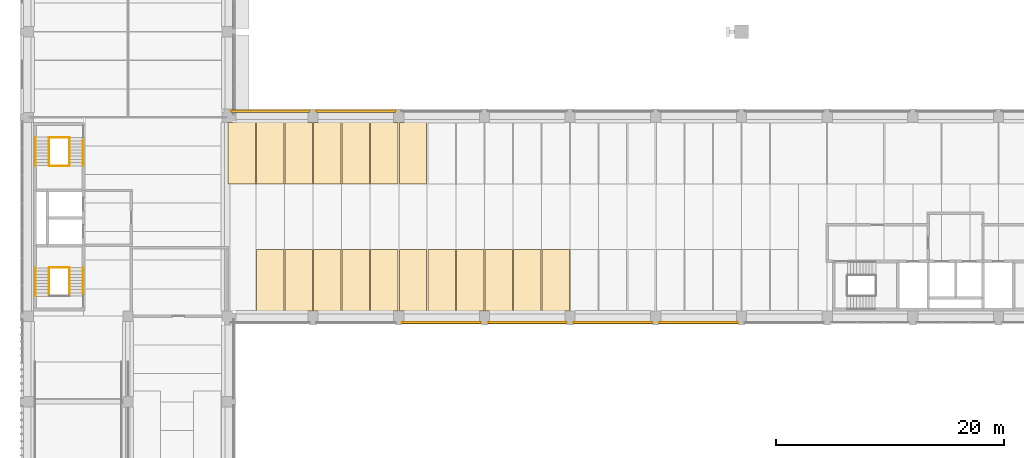
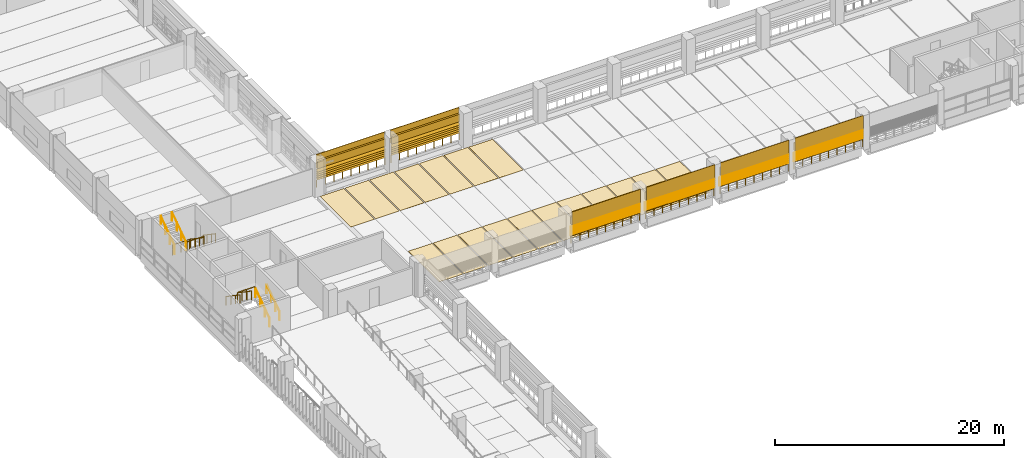
# One storey, part 40 of 57: 30 shading devices, 24 coverings, 17 railings.
"""IFC4 building model written with IfcOpenShell, lengths in metres."""

from ifc_helpers import new_model, si_unit, direction, frame, origin, origin_2d, place, context, subcontext, project, spatial, polyline, circle, outline, extrude, material, layer, layer_set, type_object, element, save


model = new_model("IFC4")

# Units and contexts
model_context = context("Model", 3, precision=1e-05, world=origin(), true_north=direction((0.0, 1.0)))
body_context = subcontext(model_context, "Body", "Model", "MODEL_VIEW")
ifc_project = project(units=[si_unit("LENGTHUNIT", "METRE"), si_unit("AREAUNIT", "SQUARE_METRE"), si_unit("VOLUMEUNIT", "CUBIC_METRE"), si_unit("PLANEANGLEUNIT", "RADIAN"), si_unit("MASSUNIT", "GRAM", prefix="KILO")], contexts=[model_context])

# Site, building, storey
site_placement = place(None, origin())
site = spatial("IfcSite", under=ifc_project, at=site_placement, CompositionType="ELEMENT")
building_placement = place(site_placement, origin())
building = spatial("IfcBuilding", under=site, at=building_placement, Name="Cour d'Honneur Mobility Palace", CompositionType="ELEMENT")
storey_placement = place(building_placement, frame((0.0, 0.0, 8.199951171875)))
storey = spatial("IfcBuildingStorey", under=building, at=storey_placement, Name="L02", CompositionType="ELEMENT", Elevation=8.199951171875)

# Railings
ifc_material_1 = material(Name="Painted steel", Category="steel")
railing_type_1 = type_object("IfcRailingType", Name="Balustrade", PredefinedType="BALUSTRADE", material=ifc_material_1)
for number, where, name in (
    (1, (32.699951171875, 44.449951171875, 0.300048828125), "Balustrade BAL-76"),
    (2, (40.199951171875, 44.449951171875, 0.300048828125), "Balustrade BAL-77"),
    (3, (47.699951171875, 44.449951171875, 0.300048828125), "Balustrade BAL-78"),
    (4, (55.199951171875, 44.449951171875, 0.300048828125), "Balustrade BAL-79"),
):
    element("IfcRailing", number, at=place(storey_placement, frame(where)), inside=storey, type_object=railing_type_1, Name=name, PredefinedType="BALUSTRADE", context=body_context, shape_type="SweptSolid", body=[
        extrude(circle(Radius=0.02392578125, at=origin_2d()), frame((0.0, 0.0, 0.77587890625), z_axis=(1.0, 0.0, 0.0), x_axis=(0.0, 1.0, 0.0)), (0.0, 0.0, 1.0), 6.900146484375),
        extrude(circle(Radius=0.02099609375, at=origin_2d()), origin(), (0.0, 0.0, 1.0), 0.751953125),
        extrude(circle(Radius=0.02099609375, at=origin_2d()), frame((0.862548828125, 0.0, 0.0)), (0.0, 0.0, 1.0), 0.751953125),
        extrude(circle(Radius=0.02099609375, at=origin_2d()), frame((1.72509765625, 0.0, 0.0)), (0.0, 0.0, 1.0), 0.751953125),
        extrude(circle(Radius=0.02099609375, at=origin_2d()), frame((2.587646484375, 0.0, 0.0)), (0.0, 0.0, 1.0), 0.751953125),
        extrude(circle(Radius=0.02099609375, at=origin_2d()), frame((3.4501953125, 0.0, 0.0)), (0.0, 0.0, 1.0), 0.751953125),
        extrude(circle(Radius=0.02099609375, at=origin_2d()), frame((4.3125, 0.0, 0.0)), (0.0, 0.0, 1.0), 0.751953125),
        extrude(circle(Radius=0.02099609375, at=origin_2d()), frame((5.175048828125, 0.0, 0.0)), (0.0, 0.0, 1.0), 0.751953125),
        extrude(circle(Radius=0.02099609375, at=origin_2d()), frame((6.03759765625, 0.0, 0.0)), (0.0, 0.0, 1.0), 0.751953125),
        extrude(circle(Radius=0.02099609375, at=origin_2d()), frame((6.900146484375, 0.0, 0.0)), (0.0, 0.0, 1.0), 0.751953125),
    ])
for number, where, name in (
    (5, (32.10009765625, 62.949951171875, 0.300048828125), "Balustrade BAL-120"),
    (6, (24.60009765625, 62.949951171875, 0.300048828125), "Balustrade BAL-121"),
):
    element("IfcRailing", number, at=place(storey_placement, frame(where)), inside=storey, type_object=railing_type_1, Name=name, PredefinedType="BALUSTRADE", context=body_context, shape_type="SweptSolid", body=[
        extrude(circle(Radius=0.02392578125, at=origin_2d()), frame((0.0, 0.0, 0.77587890625), z_axis=(-1.0, 0.0, 0.0), x_axis=(0.0, -1.0, 0.0)), (0.0, 0.0, 1.0), 6.900146484375),
        extrude(circle(Radius=0.02099609375, at=origin_2d()), origin(), (0.0, 0.0, 1.0), 0.751953125),
        extrude(circle(Radius=0.02099609375, at=origin_2d()), frame((-0.862548828125, 0.0, 0.0)), (0.0, 0.0, 1.0), 0.751953125),
        extrude(circle(Radius=0.02099609375, at=origin_2d()), frame((-1.72509765625, 0.0, 0.0)), (0.0, 0.0, 1.0), 0.751953125),
        extrude(circle(Radius=0.02099609375, at=origin_2d()), frame((-2.587646484375, 0.0, 0.0)), (0.0, 0.0, 1.0), 0.751953125),
        extrude(circle(Radius=0.02099609375, at=origin_2d()), frame((-3.4501953125, 0.0, 0.0)), (0.0, 0.0, 1.0), 0.751953125),
        extrude(circle(Radius=0.02099609375, at=origin_2d()), frame((-4.3125, 0.0, 0.0)), (0.0, 0.0, 1.0), 0.751953125),
        extrude(circle(Radius=0.02099609375, at=origin_2d()), frame((-5.175048828125, 0.0, 0.0)), (0.0, 0.0, 1.0), 0.751953125),
        extrude(circle(Radius=0.02099609375, at=origin_2d()), frame((-6.03759765625, 0.0, 0.0)), (0.0, 0.0, 1.0), 0.751953125),
        extrude(circle(Radius=0.02099609375, at=origin_2d()), frame((-6.900146484375, 0.0, 0.0)), (0.0, 0.0, 1.0), 0.751953125),
    ])
ifc_material_2 = material(Name="Painted steel", Category="steel")
railing_type_2 = type_object("IfcRailingType", Name="Guardrail 1100", PredefinedType="GUARDRAIL", material=ifc_material_2)
for number, where, name in (
    (7, (1.824951171875, 49.264892578125, 1.85009765625), "Landing guard ST-CW1"),
    (8, (1.824951171875, 60.64501953125, 0.0), "Guard ST-CW2"),
    (9, (1.824951171875, 58.135009765625, 1.85009765625), "Landing guard ST-CW2"),
):
    element("IfcRailing", number, at=place(storey_placement, frame(where)), inside=storey, type_object=railing_type_2, Name=name, PredefinedType="GUARDRAIL", context=body_context, shape_type="SweptSolid", body=[
        extrude(circle(Radius=0.02490234375, at=origin_2d()), frame((0.0, 0.0, 1.0751953125), z_axis=(1.0, 0.0, 0.0), x_axis=(0.0, 1.0, 0.0)), (0.0, 0.0, 1.0), 1.72509765625),
        extrude(circle(Radius=0.02099609375, at=origin_2d()), origin(), (0.0, 0.0, 1.0), 1.050048828125),
        extrude(circle(Radius=0.02099609375, at=origin_2d()), frame((0.862548828125, 0.0, 0.0)), (0.0, 0.0, 1.0), 1.050048828125),
        extrude(circle(Radius=0.02099609375, at=origin_2d()), frame((1.72509765625, 0.0, 0.0)), (0.0, 0.0, 1.0), 1.050048828125),
    ])
ifc_material_3 = material(Name="Stainless steel", Category="steel")
railing_type_3 = type_object("IfcRailingType", Name="Handrail round 50", PredefinedType="HANDRAIL", material=ifc_material_3)
railing_1_placement = place(storey_placement, frame((4.75, 47.0, 0.33935546875)))
element("IfcRailing", 10, at=railing_1_placement, inside=storey, type_object=railing_type_3, Name="Handrail ST-CW1", PredefinedType="HANDRAIL", context=body_context, shape_type="SweptSolid", body=[
    extrude(circle(Radius=0.02490234375, at=origin_2d()), frame((0.0, 0.0, 0.89501953125), z_axis=(0.0, 0.824957609129, 0.565194606432), x_axis=(-1.0, 0.0, 0.0)), (0.0, 0.0, 1.0), 2.6728515625),
    extrude(circle(Radius=0.02099609375, at=origin_2d()), origin(), (0.0, 0.0, 1.0), 0.869873046875),
    extrude(circle(Radius=0.02099609375, at=origin_2d()), frame((0.0, 0.735107421875, 0.503662109375)), (0.0, 0.0, 1.0), 0.869873046875),
    extrude(circle(Radius=0.02099609375, at=origin_2d()), frame((0.0, 1.469970703125, 1.007080078125)), (0.0, 0.0, 1.0), 0.869873046875),
    extrude(circle(Radius=0.02099609375, at=origin_2d()), frame((0.0, 2.205078125, 1.5107421875)), (0.0, 0.0, 1.0), 0.869873046875),
])
railing_2_placement = place(storey_placement, frame((3.60009765625, 46.77490234375, 0.18505859375)))
element("IfcRailing", 11, at=railing_2_placement, inside=storey, type_object=railing_type_3, Name="Handrail ST-CW1", PredefinedType="HANDRAIL", context=body_context, shape_type="SweptSolid", body=[
    extrude(circle(Radius=0.02490234375, at=origin_2d()), frame((0.0, 0.0, 0.89501953125), z_axis=(0.0, 0.824945253146, 0.565212640793), x_axis=(-1.0, 0.0, 0.0)), (0.0, 0.0, 1.0), 2.94580078125),
    extrude(circle(Radius=0.02099609375, at=origin_2d()), origin(), (0.0, 0.0, 1.0), 0.869873046875),
    extrude(circle(Radius=0.02099609375, at=origin_2d()), frame((0.0, 0.81005859375, 0.554931640625)), (0.0, 0.0, 1.0), 0.869873046875),
    extrude(circle(Radius=0.02099609375, at=origin_2d()), frame((0.0, 1.6201171875, 1.110107421875)), (0.0, 0.0, 1.0), 0.869873046875),
    extrude(circle(Radius=0.02099609375, at=origin_2d()), frame((0.0, 2.43017578125, 1.6650390625)), (0.0, 0.0, 1.0), 0.869873046875),
])
for number, where, name in (
    (12, (1.77490234375, 49.205078125, 2.03515625), "Handrail ST-CW1"),
    (13, (0.625, 49.205078125, 2.03515625), "Handrail ST-CW1"),
):
    element("IfcRailing", number, at=place(storey_placement, frame(where)), inside=storey, type_object=railing_type_3, Name=name, PredefinedType="HANDRAIL", context=body_context, shape_type="SweptSolid", body=[
        extrude(circle(Radius=0.02490234375, at=origin_2d()), frame((0.0, 0.0, 0.89501953125), z_axis=(0.0, -0.824983895463, 0.565156237006), x_axis=(1.0, 0.0, 0.0)), (0.0, 0.0, 1.0), 2.94580078125),
        extrude(circle(Radius=0.02099609375, at=origin_2d()), origin(), (0.0, 0.0, 1.0), 0.869873046875),
        extrude(circle(Radius=0.02099609375, at=origin_2d()), frame((0.0, -0.81005859375, 0.554931640625)), (0.0, 0.0, 1.0), 0.869873046875),
        extrude(circle(Radius=0.02099609375, at=origin_2d()), frame((0.0, -1.6201171875, 1.10986328125)), (0.0, 0.0, 1.0), 0.869873046875),
        extrude(circle(Radius=0.02099609375, at=origin_2d()), frame((0.0, -2.43017578125, 1.664794921875)), (0.0, 0.0, 1.0), 0.869873046875),
    ])
railing_3_placement = place(storey_placement, frame((4.75, 60.39990234375, 0.33935546875)))
element("IfcRailing", 14, at=railing_3_placement, inside=storey, type_object=railing_type_3, Name="Handrail ST-CW2", PredefinedType="HANDRAIL", context=body_context, shape_type="SweptSolid", body=[
    extrude(circle(Radius=0.02490234375, at=origin_2d()), frame((0.0, 0.0, 0.89501953125), z_axis=(0.0, -0.824928428624, 0.565237195917), x_axis=(1.0, 0.0, 0.0)), (0.0, 0.0, 1.0), 2.6728515625),
    extrude(circle(Radius=0.02099609375, at=origin_2d()), origin(), (0.0, 0.0, 1.0), 0.869873046875),
    extrude(circle(Radius=0.02099609375, at=origin_2d()), frame((0.0, -0.73486328125, 0.503662109375)), (0.0, 0.0, 1.0), 0.869873046875),
    extrude(circle(Radius=0.02099609375, at=origin_2d()), frame((0.0, -1.469970703125, 1.007080078125)), (0.0, 0.0, 1.0), 0.869873046875),
    extrude(circle(Radius=0.02099609375, at=origin_2d()), frame((0.0, -2.204833984375, 1.5107421875)), (0.0, 0.0, 1.0), 0.869873046875),
])
railing_4_placement = place(storey_placement, frame((3.60009765625, 60.625, 0.18505859375)))
element("IfcRailing", 15, at=railing_4_placement, inside=storey, type_object=railing_type_3, Name="Handrail ST-CW2", PredefinedType="HANDRAIL", context=body_context, shape_type="SweptSolid", body=[
    extrude(circle(Radius=0.02490234375, at=origin_2d()), frame((0.0, 0.0, 0.89501953125), z_axis=(0.0, -0.8249187745, 0.56525128525), x_axis=(1.0, 0.0, 0.0)), (0.0, 0.0, 1.0), 2.945556640625),
    extrude(circle(Radius=0.02099609375, at=origin_2d()), origin(), (0.0, 0.0, 1.0), 0.869873046875),
    extrude(circle(Radius=0.02099609375, at=origin_2d()), frame((0.0, -0.81005859375, 0.554931640625)), (0.0, 0.0, 1.0), 0.869873046875),
    extrude(circle(Radius=0.02099609375, at=origin_2d()), frame((0.0, -1.619873046875, 1.110107421875)), (0.0, 0.0, 1.0), 0.869873046875),
    extrude(circle(Radius=0.02099609375, at=origin_2d()), frame((0.0, -2.429931640625, 1.6650390625)), (0.0, 0.0, 1.0), 0.869873046875),
])
for number, where, name in (
    (16, (1.77490234375, 58.195068359375, 2.03515625), "Handrail ST-CW2"),
    (17, (0.625, 58.195068359375, 2.03515625), "Handrail ST-CW2"),
):
    element("IfcRailing", number, at=place(storey_placement, frame(where)), inside=storey, type_object=railing_type_3, Name=name, PredefinedType="HANDRAIL", context=body_context, shape_type="SweptSolid", body=[
        extrude(circle(Radius=0.02490234375, at=origin_2d()), frame((0.0, 0.0, 0.89501953125), z_axis=(0.0, 0.824957420862, 0.565194881227), x_axis=(-1.0, 0.0, 0.0)), (0.0, 0.0, 1.0), 2.945556640625),
        extrude(circle(Radius=0.02099609375, at=origin_2d()), origin(), (0.0, 0.0, 1.0), 0.869873046875),
        extrude(circle(Radius=0.02099609375, at=origin_2d()), frame((0.0, 0.81005859375, 0.554931640625)), (0.0, 0.0, 1.0), 0.869873046875),
        extrude(circle(Radius=0.02099609375, at=origin_2d()), frame((0.0, 1.619873046875, 1.10986328125)), (0.0, 0.0, 1.0), 0.869873046875),
        extrude(circle(Radius=0.02099609375, at=origin_2d()), frame((0.0, 2.429931640625, 1.664794921875)), (0.0, 0.0, 1.0), 0.869873046875),
    ])

# Coverings
ifc_material_4 = material(Name="Parking marking paint")
ifc_layer_1 = layer(ifc_material_4, 0.0048828125)
ifc_layer_set_1 = layer_set([ifc_layer_1], Name="Parking marking paint")
covering_type_1 = type_object("IfcCoveringType", Name="Parking bay marking", PredefinedType="FLOORING", material=ifc_layer_set_1)
covering_1_placement = place(storey_placement, origin())
element("IfcCovering", 18, at=covering_1_placement, inside=storey, type_object=covering_type_1, Name="Parking bay marking L02 1", PredefinedType="FLOORING", context=body_context, shape_type="SweptSolid", body=[
    extrude(outline(polyline([(19.85009765625, 56.550048828125), (17.449951171875, 56.550048828125), (17.449951171875, 61.949951171875), (19.85009765625, 61.949951171875), (19.85009765625, 56.550048828125)])), origin(), (0.0, 0.0, 1.0), 0.005126953125),
])
covering_2_placement = place(storey_placement, origin())
element("IfcCovering", 19, at=covering_2_placement, inside=storey, type_object=covering_type_1, Name="Parking bay marking L02 12", PredefinedType="FLOORING", context=body_context, shape_type="SweptSolid", body=[
    extrude(outline(polyline([(22.35009765625, 56.550048828125), (19.949951171875, 56.550048828125), (19.949951171875, 61.949951171875), (22.35009765625, 61.949951171875), (22.35009765625, 56.550048828125)])), origin(), (0.0, 0.0, 1.0), 0.005126953125),
])
covering_3_placement = place(storey_placement, origin())
element("IfcCovering", 20, at=covering_3_placement, inside=storey, type_object=covering_type_1, Name="Parking bay marking L02 13", PredefinedType="FLOORING", context=body_context, shape_type="SweptSolid", body=[
    extrude(outline(polyline([(24.85009765625, 56.550048828125), (22.449951171875, 56.550048828125), (22.449951171875, 61.949951171875), (24.85009765625, 61.949951171875), (24.85009765625, 56.550048828125)])), origin(), (0.0, 0.0, 1.0), 0.005126953125),
])
covering_4_placement = place(storey_placement, origin())
element("IfcCovering", 21, at=covering_4_placement, inside=storey, type_object=covering_type_1, Name="Parking bay marking L02 22", PredefinedType="FLOORING", context=body_context, shape_type="SweptSolid", body=[
    extrude(outline(polyline([(27.35009765625, 56.550048828125), (24.949951171875, 56.550048828125), (24.949951171875, 61.949951171875), (27.35009765625, 61.949951171875), (27.35009765625, 56.550048828125)])), origin(), (0.0, 0.0, 1.0), 0.005126953125),
])
covering_5_placement = place(storey_placement, origin())
element("IfcCovering", 22, at=covering_5_placement, inside=storey, type_object=covering_type_1, Name="Parking bay marking L02 33", PredefinedType="FLOORING", context=body_context, shape_type="SweptSolid", body=[
    extrude(outline(polyline([(29.85009765625, 56.550048828125), (27.449951171875, 56.550048828125), (27.449951171875, 61.949951171875), (29.85009765625, 61.949951171875), (29.85009765625, 56.550048828125)])), origin(), (0.0, 0.0, 1.0), 0.005126953125),
])
covering_6_placement = place(storey_placement, origin())
element("IfcCovering", 23, at=covering_6_placement, inside=storey, type_object=covering_type_1, Name="Parking bay marking L02 36", PredefinedType="FLOORING", context=body_context, shape_type="SweptSolid", body=[
    extrude(outline(polyline([(32.35009765625, 56.550048828125), (29.949951171875, 56.550048828125), (29.949951171875, 61.949951171875), (32.35009765625, 61.949951171875), (32.35009765625, 56.550048828125)])), origin(), (0.0, 0.0, 1.0), 0.005126953125),
])
covering_7_placement = place(storey_placement, origin())
element("IfcCovering", 24, at=covering_7_placement, inside=storey, type_object=covering_type_1, Name="Parking bay marking L02 37", PredefinedType="FLOORING", context=body_context, shape_type="SweptSolid", body=[
    extrude(outline(polyline([(34.85009765625, 56.550048828125), (32.449951171875, 56.550048828125), (32.449951171875, 61.949951171875), (34.85009765625, 61.949951171875), (34.85009765625, 56.550048828125)])), origin(), (0.0, 0.0, 1.0), 0.005126953125),
])
covering_8_placement = place(storey_placement, origin())
element("IfcCovering", 25, at=covering_8_placement, inside=storey, type_object=covering_type_1, Name="Parking bay marking L02 40", PredefinedType="FLOORING", context=body_context, shape_type="SweptSolid", body=[
    extrude(outline(polyline([(42.35009765625, 45.449951171875), (39.949951171875, 45.449951171875), (39.949951171875, 50.85009765625), (42.35009765625, 50.85009765625), (42.35009765625, 45.449951171875)])), origin(), (0.0, 0.0, 1.0), 0.005126953125),
])
covering_9_placement = place(storey_placement, origin())
element("IfcCovering", 26, at=covering_9_placement, inside=storey, type_object=covering_type_1, Name="Parking bay marking L02 41", PredefinedType="FLOORING", context=body_context, shape_type="SweptSolid", body=[
    extrude(outline(polyline([(44.85009765625, 45.449951171875), (42.449951171875, 45.449951171875), (42.449951171875, 50.85009765625), (44.85009765625, 50.85009765625), (44.85009765625, 45.449951171875)])), origin(), (0.0, 0.0, 1.0), 0.005126953125),
])
covering_10_placement = place(storey_placement, origin())
element("IfcCovering", 27, at=covering_10_placement, inside=storey, type_object=covering_type_1, Name="Parking bay marking L02 42", PredefinedType="FLOORING", context=body_context, shape_type="SweptSolid", body=[
    extrude(outline(polyline([(47.35009765625, 45.449951171875), (44.949951171875, 45.449951171875), (44.949951171875, 50.85009765625), (47.35009765625, 50.85009765625), (47.35009765625, 45.449951171875)])), origin(), (0.0, 0.0, 1.0), 0.005126953125),
])
covering_11_placement = place(storey_placement, origin())
element("IfcCovering", 28, at=covering_11_placement, inside=storey, type_object=covering_type_1, Name="Parking bay marking L02 50", PredefinedType="FLOORING", context=body_context, shape_type="SweptSolid", body=[
    extrude(outline(polyline([(22.35009765625, 45.449951171875), (19.949951171875, 45.449951171875), (19.949951171875, 50.85009765625), (22.35009765625, 50.85009765625), (22.35009765625, 45.449951171875)])), origin(), (0.0, 0.0, 1.0), 0.005126953125),
])
covering_12_placement = place(storey_placement, origin())
element("IfcCovering", 29, at=covering_12_placement, inside=storey, type_object=covering_type_1, Name="Parking bay marking L02 52", PredefinedType="FLOORING", context=body_context, shape_type="SweptSolid", body=[
    extrude(outline(polyline([(24.85009765625, 45.449951171875), (22.449951171875, 45.449951171875), (22.449951171875, 50.85009765625), (24.85009765625, 50.85009765625), (24.85009765625, 45.449951171875)])), origin(), (0.0, 0.0, 1.0), 0.005126953125),
])
covering_13_placement = place(storey_placement, origin())
element("IfcCovering", 30, at=covering_13_placement, inside=storey, type_object=covering_type_1, Name="Parking bay marking L02 61", PredefinedType="FLOORING", context=body_context, shape_type="SweptSolid", body=[
    extrude(outline(polyline([(27.35009765625, 45.449951171875), (24.949951171875, 45.449951171875), (24.949951171875, 50.85009765625), (27.35009765625, 50.85009765625), (27.35009765625, 45.449951171875)])), origin(), (0.0, 0.0, 1.0), 0.005126953125),
])
covering_14_placement = place(storey_placement, origin())
element("IfcCovering", 31, at=covering_14_placement, inside=storey, type_object=covering_type_1, Name="Parking bay marking L02 72", PredefinedType="FLOORING", context=body_context, shape_type="SweptSolid", body=[
    extrude(outline(polyline([(29.85009765625, 45.449951171875), (27.449951171875, 45.449951171875), (27.449951171875, 50.85009765625), (29.85009765625, 50.85009765625), (29.85009765625, 45.449951171875)])), origin(), (0.0, 0.0, 1.0), 0.005126953125),
])
covering_15_placement = place(storey_placement, origin())
element("IfcCovering", 32, at=covering_15_placement, inside=storey, type_object=covering_type_1, Name="Parking bay marking L02 74", PredefinedType="FLOORING", context=body_context, shape_type="SweptSolid", body=[
    extrude(outline(polyline([(32.35009765625, 45.449951171875), (29.949951171875, 45.449951171875), (29.949951171875, 50.85009765625), (32.35009765625, 50.85009765625), (32.35009765625, 45.449951171875)])), origin(), (0.0, 0.0, 1.0), 0.005126953125),
])
covering_16_placement = place(storey_placement, origin())
element("IfcCovering", 33, at=covering_16_placement, inside=storey, type_object=covering_type_1, Name="Parking bay marking L02 75", PredefinedType="FLOORING", context=body_context, shape_type="SweptSolid", body=[
    extrude(outline(polyline([(34.85009765625, 45.449951171875), (32.449951171875, 45.449951171875), (32.449951171875, 50.85009765625), (34.85009765625, 50.85009765625), (34.85009765625, 45.449951171875)])), origin(), (0.0, 0.0, 1.0), 0.005126953125),
])
covering_17_placement = place(storey_placement, origin())
element("IfcCovering", 34, at=covering_17_placement, inside=storey, type_object=covering_type_1, Name="Parking bay marking L02 76", PredefinedType="FLOORING", context=body_context, shape_type="SweptSolid", body=[
    extrude(outline(polyline([(37.35009765625, 45.449951171875), (34.949951171875, 45.449951171875), (34.949951171875, 50.85009765625), (37.35009765625, 50.85009765625), (37.35009765625, 45.449951171875)])), origin(), (0.0, 0.0, 1.0), 0.005126953125),
])
covering_18_placement = place(storey_placement, origin())
element("IfcCovering", 35, at=covering_18_placement, inside=storey, type_object=covering_type_1, Name="Parking bay marking L02 77", PredefinedType="FLOORING", context=body_context, shape_type="SweptSolid", body=[
    extrude(outline(polyline([(39.85009765625, 45.449951171875), (37.449951171875, 45.449951171875), (37.449951171875, 50.85009765625), (39.85009765625, 50.85009765625), (39.85009765625, 45.449951171875)])), origin(), (0.0, 0.0, 1.0), 0.005126953125),
])
ifc_material_5 = material(Name="Cast limestone", Category="masonry")
ifc_layer_2 = layer(ifc_material_5, 0.25)
ifc_layer_set_2 = layer_set([ifc_layer_2], Name="Cast limestone")
covering_type_2 = type_object("IfcCoveringType", Name="Spandrel cladding", PredefinedType="CLADDING", material=ifc_layer_set_2)
for number, where, z_axis, x_axis, name in (
    (36, (32.699951171875, 44.550048828125, 2.300048828125), (-1.0, 0.0, 0.0), (0.0, -1.0, 0.0), "Spandrel cladding SK-145"),
    (37, (40.199951171875, 44.550048828125, 2.300048828125), (-1.0, 0.0, 0.0), (0.0, -1.0, 0.0), "Spandrel cladding SK-146"),
    (38, (47.699951171875, 44.550048828125, 2.300048828125), (-1.0, 0.0, 0.0), (0.0, -1.0, 0.0), "Spandrel cladding SK-147"),
    (39, (55.199951171875, 44.550048828125, 2.300048828125), (-1.0, 0.0, 0.0), (0.0, -1.0, 0.0), "Spandrel cladding SK-148"),
    (40, (32.10009765625, 62.85009765625, 2.300048828125), (1.0, 0.0, 0.0), (0.0, 1.0, 0.0), "Spandrel cladding SK-191"),
    (41, (24.60009765625, 62.85009765625, 2.300048828125), (1.0, 0.0, 0.0), (0.0, 1.0, 0.0), "Spandrel cladding SK-192"),
):
    element("IfcCovering", number, at=place(storey_placement, frame(where, z_axis=z_axis, x_axis=x_axis)), inside=storey, type_object=covering_type_2, Name=name, PredefinedType="CLADDING", context=body_context, shape_type="SweptSolid", body=[
        extrude(outline(polyline([(0.0, 0.0), (0.25, 0.0), (0.25, 1.39990234375), (0.199951171875, 1.39990234375), (0.199951171875, 0.800048828125), (0.0, 0.800048828125), (0.0, 0.0)])), origin(), (0.0, 0.0, -1.0), 6.89990234375),
    ])

# Shading devices
ifc_material_6 = material(Name="Terracotta", Category="masonry")
ifc_layer_3 = layer(ifc_material_6, 0.02490234375)
ifc_layer_set_3 = layer_set([ifc_layer_3], Name="Terracotta")
shading_device_type = type_object("IfcShadingDeviceType", Name="Terracotta louvre blade", PredefinedType="JALOUSIE", material=ifc_layer_set_3)
for number, where, z_axis, x_axis, name in (
    (42, (32.699951171875, 44.55615234375, 1.10009765625), (0.0, 0.707106781187, 0.707106781187), (1.0, 0.0, 0.0), "Louvre blade LV-1 S2.2 L02 1"),
    (43, (32.699951171875, 44.55615234375, 1.312255859375), (0.0, 0.707106781187, 0.707106781187), (1.0, 0.0, 0.0), "Louvre blade LV-1 S2.2 L02 2"),
):
    element("IfcShadingDevice", number, at=place(storey_placement, frame(where, z_axis=z_axis, x_axis=x_axis)), inside=storey, type_object=shading_device_type, Name=name, PredefinedType="JALOUSIE", context=body_context, shape_type="SweptSolid", body=[
        extrude(outline(polyline([(0.0, 0.0), (6.900146484375, 0.0), (6.900146484375, -0.300037008228081), (0.0, -0.300037008228081), (0.0, 0.0)])), origin(), (0.0, 0.0, -1.0), 0.02490234375),
    ])
shading_device_1_placement = place(storey_placement, frame((32.699951171875, 44.55615234375, 1.5244140625), z_axis=(0.0, 0.706699578995, 0.707513749017), x_axis=(1.0, 0.0, 0.0)))
element("IfcShadingDevice", 44, at=shading_device_1_placement, inside=storey, type_object=shading_device_type, Name="Louvre blade LV-1 S2.2 L02 3", PredefinedType="JALOUSIE", context=body_context, shape_type="SweptSolid", body=[
    extrude(outline(polyline([(0.0, 0.0), (6.900146484375, 0.0), (6.900146484375, -0.29986442442957895), (0.0, -0.29986442442957895), (0.0, 0.0)])), origin(), (0.0, 0.0, -1.0), 0.02490234375),
])
for number, where, z_axis, x_axis, name in (
    (45, (32.699951171875, 44.55615234375, 1.736328125), (0.0, 0.707106781187, 0.707106781187), (1.0, 0.0, 0.0), "Louvre blade LV-1 S2.2 L02 4"),
    (46, (32.699951171875, 44.55615234375, 1.948486328125), (0.0, 0.707106781187, 0.707106781187), (1.0, 0.0, 0.0), "Louvre blade LV-1 S2.2 L02 5"),
    (47, (40.199951171875, 44.55615234375, 1.10009765625), (0.0, 0.707106781187, 0.707106781187), (1.0, 0.0, 0.0), "Louvre blade LV-1 S2.3 L02 1"),
    (48, (40.199951171875, 44.55615234375, 1.312255859375), (0.0, 0.707106781187, 0.707106781187), (1.0, 0.0, 0.0), "Louvre blade LV-1 S2.3 L02 2"),
):
    element("IfcShadingDevice", number, at=place(storey_placement, frame(where, z_axis=z_axis, x_axis=x_axis)), inside=storey, type_object=shading_device_type, Name=name, PredefinedType="JALOUSIE", context=body_context, shape_type="SweptSolid", body=[
        extrude(outline(polyline([(0.0, 0.0), (6.900146484375, 0.0), (6.900146484375, -0.300037008228081), (0.0, -0.300037008228081), (0.0, 0.0)])), origin(), (0.0, 0.0, -1.0), 0.02490234375),
    ])
shading_device_2_placement = place(storey_placement, frame((40.199951171875, 44.55615234375, 1.5244140625), z_axis=(0.0, 0.706699578995, 0.707513749017), x_axis=(1.0, 0.0, 0.0)))
element("IfcShadingDevice", 49, at=shading_device_2_placement, inside=storey, type_object=shading_device_type, Name="Louvre blade LV-1 S2.3 L02 3", PredefinedType="JALOUSIE", context=body_context, shape_type="SweptSolid", body=[
    extrude(outline(polyline([(0.0, 0.0), (6.900146484375, 0.0), (6.900146484375, -0.29986442442957895), (0.0, -0.29986442442957895), (0.0, 0.0)])), origin(), (0.0, 0.0, -1.0), 0.02490234375),
])
for number, where, z_axis, x_axis, name in (
    (50, (40.199951171875, 44.55615234375, 1.736328125), (0.0, 0.707106781187, 0.707106781187), (1.0, 0.0, 0.0), "Louvre blade LV-1 S2.3 L02 4"),
    (51, (40.199951171875, 44.55615234375, 1.948486328125), (0.0, 0.707106781187, 0.707106781187), (1.0, 0.0, 0.0), "Louvre blade LV-1 S2.3 L02 5"),
    (52, (47.699951171875, 44.55615234375, 1.10009765625), (0.0, 0.707106781187, 0.707106781187), (1.0, 0.0, 0.0), "Louvre blade LV-1 S2.4 L02 1"),
    (53, (47.699951171875, 44.55615234375, 1.312255859375), (0.0, 0.707106781187, 0.707106781187), (1.0, 0.0, 0.0), "Louvre blade LV-1 S2.4 L02 2"),
):
    element("IfcShadingDevice", number, at=place(storey_placement, frame(where, z_axis=z_axis, x_axis=x_axis)), inside=storey, type_object=shading_device_type, Name=name, PredefinedType="JALOUSIE", context=body_context, shape_type="SweptSolid", body=[
        extrude(outline(polyline([(0.0, 0.0), (6.900146484375, 0.0), (6.900146484375, -0.300037008228081), (0.0, -0.300037008228081), (0.0, 0.0)])), origin(), (0.0, 0.0, -1.0), 0.02490234375),
    ])
shading_device_3_placement = place(storey_placement, frame((47.699951171875, 44.55615234375, 1.5244140625), z_axis=(0.0, 0.706699578995, 0.707513749017), x_axis=(1.0, 0.0, 0.0)))
element("IfcShadingDevice", 54, at=shading_device_3_placement, inside=storey, type_object=shading_device_type, Name="Louvre blade LV-1 S2.4 L02 3", PredefinedType="JALOUSIE", context=body_context, shape_type="SweptSolid", body=[
    extrude(outline(polyline([(0.0, 0.0), (6.900146484375, 0.0), (6.900146484375, -0.29986442442957895), (0.0, -0.29986442442957895), (0.0, 0.0)])), origin(), (0.0, 0.0, -1.0), 0.02490234375),
])
for number, where, z_axis, x_axis, name in (
    (55, (47.699951171875, 44.55615234375, 1.736328125), (0.0, 0.707106781187, 0.707106781187), (1.0, 0.0, 0.0), "Louvre blade LV-1 S2.4 L02 4"),
    (56, (47.699951171875, 44.55615234375, 1.948486328125), (0.0, 0.707106781187, 0.707106781187), (1.0, 0.0, 0.0), "Louvre blade LV-1 S2.4 L02 5"),
    (57, (55.199951171875, 44.55615234375, 1.10009765625), (0.0, 0.707106781187, 0.707106781187), (1.0, 0.0, 0.0), "Louvre blade LV-1 S2.5 L02 1"),
    (58, (55.199951171875, 44.55615234375, 1.312255859375), (0.0, 0.707106781187, 0.707106781187), (1.0, 0.0, 0.0), "Louvre blade LV-1 S2.5 L02 2"),
):
    element("IfcShadingDevice", number, at=place(storey_placement, frame(where, z_axis=z_axis, x_axis=x_axis)), inside=storey, type_object=shading_device_type, Name=name, PredefinedType="JALOUSIE", context=body_context, shape_type="SweptSolid", body=[
        extrude(outline(polyline([(0.0, 0.0), (6.900146484375, 0.0), (6.900146484375, -0.300037008228081), (0.0, -0.300037008228081), (0.0, 0.0)])), origin(), (0.0, 0.0, -1.0), 0.02490234375),
    ])
shading_device_4_placement = place(storey_placement, frame((55.199951171875, 44.55615234375, 1.5244140625), z_axis=(0.0, 0.706699578995, 0.707513749017), x_axis=(1.0, 0.0, 0.0)))
element("IfcShadingDevice", 59, at=shading_device_4_placement, inside=storey, type_object=shading_device_type, Name="Louvre blade LV-1 S2.5 L02 3", PredefinedType="JALOUSIE", context=body_context, shape_type="SweptSolid", body=[
    extrude(outline(polyline([(0.0, 0.0), (6.900146484375, 0.0), (6.900146484375, -0.29986442442957895), (0.0, -0.29986442442957895), (0.0, 0.0)])), origin(), (0.0, 0.0, -1.0), 0.02490234375),
])
for number, where, z_axis, x_axis, name in (
    (60, (55.199951171875, 44.55615234375, 1.736328125), (0.0, 0.707106781187, 0.707106781187), (1.0, 0.0, 0.0), "Louvre blade LV-1 S2.5 L02 4"),
    (61, (55.199951171875, 44.55615234375, 1.948486328125), (0.0, 0.707106781187, 0.707106781187), (1.0, 0.0, 0.0), "Louvre blade LV-1 S2.5 L02 5"),
    (62, (32.10009765625, 62.843994140625, 1.10009765625), (0.0, -0.707106781187, 0.707106781187), (-1.0, 0.0, 0.0), "Louvre blade LV-1 N8.15 L02 1"),
    (63, (32.10009765625, 62.843994140625, 1.312255859375), (0.0, -0.707106781187, 0.707106781187), (-1.0, 0.0, 0.0), "Louvre blade LV-1 N8.15 L02 2"),
):
    element("IfcShadingDevice", number, at=place(storey_placement, frame(where, z_axis=z_axis, x_axis=x_axis)), inside=storey, type_object=shading_device_type, Name=name, PredefinedType="JALOUSIE", context=body_context, shape_type="SweptSolid", body=[
        extrude(outline(polyline([(0.0, 0.0), (6.900146484375, 0.0), (6.900146484375, -0.300037008228081), (0.0, -0.300037008228081), (0.0, 0.0)])), origin(), (0.0, 0.0, -1.0), 0.02490234375),
    ])
shading_device_5_placement = place(storey_placement, frame((32.10009765625, 62.843994140625, 1.5244140625), z_axis=(0.0, -0.706699578995, 0.707513749017), x_axis=(-1.0, 0.0, 0.0)))
element("IfcShadingDevice", 64, at=shading_device_5_placement, inside=storey, type_object=shading_device_type, Name="Louvre blade LV-1 N8.15 L02 3", PredefinedType="JALOUSIE", context=body_context, shape_type="SweptSolid", body=[
    extrude(outline(polyline([(0.0, 0.0), (6.900146484375, 0.0), (6.900146484375, -0.29986442442957895), (0.0, -0.29986442442957895), (0.0, 0.0)])), origin(), (0.0, 0.0, -1.0), 0.02490234375),
])
for number, where, z_axis, x_axis, name in (
    (65, (32.10009765625, 62.843994140625, 1.736328125), (0.0, -0.707106781187, 0.707106781187), (-1.0, 0.0, 0.0), "Louvre blade LV-1 N8.15 L02 4"),
    (66, (32.10009765625, 62.843994140625, 1.948486328125), (0.0, -0.707106781187, 0.707106781187), (-1.0, 0.0, 0.0), "Louvre blade LV-1 N8.15 L02 5"),
    (67, (24.60009765625, 62.843994140625, 1.10009765625), (0.0, -0.707106781187, 0.707106781187), (-1.0, 0.0, 0.0), "Louvre blade LV-1 N8.16 L02 1"),
    (68, (24.60009765625, 62.843994140625, 1.312255859375), (0.0, -0.707106781187, 0.707106781187), (-1.0, 0.0, 0.0), "Louvre blade LV-1 N8.16 L02 2"),
):
    element("IfcShadingDevice", number, at=place(storey_placement, frame(where, z_axis=z_axis, x_axis=x_axis)), inside=storey, type_object=shading_device_type, Name=name, PredefinedType="JALOUSIE", context=body_context, shape_type="SweptSolid", body=[
        extrude(outline(polyline([(0.0, 0.0), (6.900146484375, 0.0), (6.900146484375, -0.300037008228081), (0.0, -0.300037008228081), (0.0, 0.0)])), origin(), (0.0, 0.0, -1.0), 0.02490234375),
    ])
shading_device_6_placement = place(storey_placement, frame((24.60009765625, 62.843994140625, 1.5244140625), z_axis=(0.0, -0.706699578995, 0.707513749017), x_axis=(-1.0, 0.0, 0.0)))
element("IfcShadingDevice", 69, at=shading_device_6_placement, inside=storey, type_object=shading_device_type, Name="Louvre blade LV-1 N8.16 L02 3", PredefinedType="JALOUSIE", context=body_context, shape_type="SweptSolid", body=[
    extrude(outline(polyline([(0.0, 0.0), (6.900146484375, 0.0), (6.900146484375, -0.29986442442957895), (0.0, -0.29986442442957895), (0.0, 0.0)])), origin(), (0.0, 0.0, -1.0), 0.02490234375),
])
for number, where, z_axis, x_axis, name in (
    (70, (24.60009765625, 62.843994140625, 1.736328125), (0.0, -0.707106781187, 0.707106781187), (-1.0, 0.0, 0.0), "Louvre blade LV-1 N8.16 L02 4"),
    (71, (24.60009765625, 62.843994140625, 1.948486328125), (0.0, -0.707106781187, 0.707106781187), (-1.0, 0.0, 0.0), "Louvre blade LV-1 N8.16 L02 5"),
):
    element("IfcShadingDevice", number, at=place(storey_placement, frame(where, z_axis=z_axis, x_axis=x_axis)), inside=storey, type_object=shading_device_type, Name=name, PredefinedType="JALOUSIE", context=body_context, shape_type="SweptSolid", body=[
        extrude(outline(polyline([(0.0, 0.0), (6.900146484375, 0.0), (6.900146484375, -0.300037008228081), (0.0, -0.300037008228081), (0.0, 0.0)])), origin(), (0.0, 0.0, -1.0), 0.02490234375),
    ])

save(model, "model.ifc")
